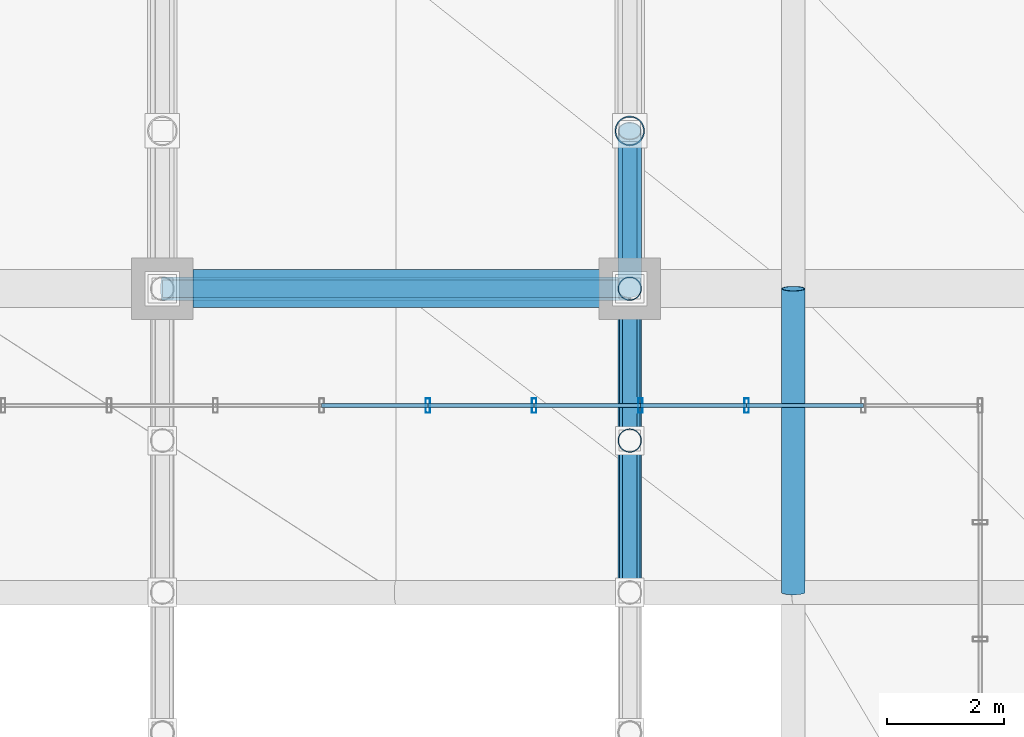
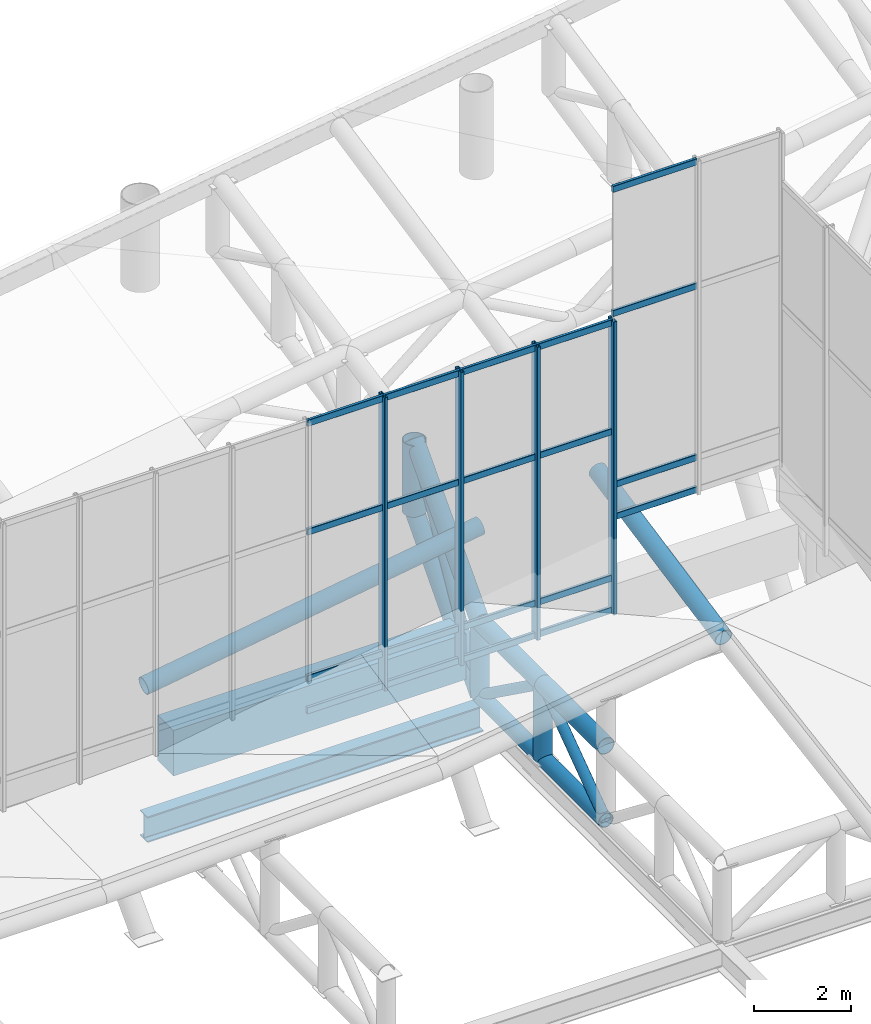
# One storey, part 92 of 137: 38 members, 2 beams, 2 elements without a shape of their own.
"""IFC4 building model written with IfcOpenShell, lengths in metres."""

from ifc_helpers import new_model, si_unit, direction, frame, origin, origin_2d, place, context, subcontext, project, spatial, rectangle, hollow_rectangle, hollow_circle, i_section, extrude, material, layer, layer_set, material_profile, profile_set, type_object, element, aggregate, save


model = new_model("IFC4")

# Units and contexts
model_context = context("Model", 3, precision=1e-05, world=origin(), true_north=direction((0.0, 1.0)))
body_context = subcontext(model_context, "Body", "Model", "MODEL_VIEW")
ifc_project = project(units=[si_unit("LENGTHUNIT", "METRE"), si_unit("AREAUNIT", "SQUARE_METRE"), si_unit("VOLUMEUNIT", "CUBIC_METRE"), si_unit("PLANEANGLEUNIT", "RADIAN"), si_unit("MASSUNIT", "GRAM", prefix="KILO")], contexts=[model_context])

# Site, building, storey
site_placement = place(None, origin())
site = spatial("IfcSite", under=ifc_project, at=site_placement, CompositionType="ELEMENT")
building_placement = place(site_placement, origin())
building = spatial("IfcBuilding", under=site, at=building_placement, Name="Khorjan Park Terminus", CompositionType="ELEMENT")
storey_placement = place(building_placement, frame((0.0, 0.0, 11.4)))
storey = spatial("IfcBuildingStorey", under=building, at=storey_placement, Name="L02", CompositionType="ELEMENT", Elevation=11.4)

# Members
ifc_material_1 = material(Name="Steel S355", Category="steel")
ifc_material_profile_1 = material_profile(ifc_material_1, hollow_circle(Radius=0.1222, WallThickness=0.0125, at=origin_2d()), Name="CHS 244.5x12.5")
ifc_profile_set_1 = profile_set([ifc_material_profile_1], Name="Steel S355")
member_type_1 = type_object("IfcMemberType", Name="MB-BR-245", PredefinedType="BRACE", material=ifc_profile_set_1)
for number, where, z_axis, x_axis, name in (
    (1, (128.0, 82.8, -1.92), (0.0, 0.811830357573, 0.583893372562), (-1.0, 0.0, 0.0), "Lower shell cantilever truss diagonal (11N)"),
    (2, (128.0, 85.4, -0.05), (0.0, 0.811830357573, -0.583893372562), (-1.0, 0.0, 0.0), "Lower shell cantilever truss diagonal (11N)"),
):
    element("IfcMember", number, at=place(storey_placement, frame(where, z_axis=z_axis, x_axis=x_axis)), inside=storey, type_object=member_type_1, Name=name, PredefinedType="BRACE", context=body_context, shape_type="SweptSolid", body=[
        extrude(hollow_circle(Radius=0.1222, WallThickness=0.0125, at=origin_2d()), origin(), (0.0, 0.0, 1.0), 3.2026),
    ])
ifc_material_profile_2 = material_profile(ifc_material_1, hollow_circle(Radius=0.1222, WallThickness=0.0125, at=origin_2d()), Name="CHS 244.5x12.5")
ifc_profile_set_2 = profile_set([ifc_material_profile_2], Name="Steel S355")
member_type_2 = type_object("IfcMemberType", Name="MB-BRE-245", PredefinedType="BRACE", material=ifc_profile_set_2)
member_1_placement = place(storey_placement, frame((128.0, 88.0, -1.92), z_axis=(0.0, 0.489695395281, 0.871893582865), x_axis=(-1.0, 0.0, 0.0)))
element("IfcMember", 3, at=member_1_placement, inside=storey, type_object=member_type_2, Name="Lower shell cantilever truss diagonal (11N)", PredefinedType="BRACE", context=body_context, shape_type="SweptSolid", body=[
    extrude(hollow_circle(Radius=0.1222, WallThickness=0.0125, at=origin_2d()), origin(), (0.0, 0.0, 1.0), 5.5136),
])
ifc_material_profile_3 = material_profile(ifc_material_1, hollow_circle(Radius=0.1778, WallThickness=0.016, at=origin_2d()), Name="CHS 355.6x16")
ifc_profile_set_3 = profile_set([ifc_material_profile_3], Name="Steel S355")
member_type_3 = type_object("IfcMemberType", Name="MB-CH-356", PredefinedType="CHORD", material=ifc_profile_set_3)
for number, where, z_axis, x_axis, name in (
    (4, (128.0, 82.8, -1.92), (0.0, 1.0, 0.0), (-1.0, 0.0, 0.0), "Lower shell cantilever truss bottom chord (11N)"),
    (5, (128.0, 85.4, -1.92), (0.0, 1.0, 0.0), (-1.0, 0.0, 0.0), "Lower shell cantilever truss bottom chord (11N)"),
):
    element("IfcMember", number, at=place(storey_placement, frame(where, z_axis=z_axis, x_axis=x_axis)), inside=storey, type_object=member_type_3, Name=name, PredefinedType="CHORD", context=body_context, shape_type="SweptSolid", body=[
        extrude(hollow_circle(Radius=0.1778, WallThickness=0.016, at=origin_2d()), origin(), (0.0, 0.0, 1.0), 2.6),
    ])
ifc_material_profile_4 = material_profile(ifc_material_1, hollow_circle(Radius=0.2032, WallThickness=0.016, at=origin_2d()), Name="CHS 406.4x16")
ifc_profile_set_4 = profile_set([ifc_material_profile_4], Name="Steel S355")
member_type_4 = type_object("IfcMemberType", Name="MB-CH-406", PredefinedType="CHORD", material=ifc_profile_set_4)
member_2_placement = place(storey_placement, frame((130.8, 82.8, 1.6975), z_axis=(0.0, 0.979804962844, 0.199955582033), x_axis=(-1.0, 0.0, 0.0)))
element("IfcMember", 6, at=member_2_placement, inside=storey, type_object=member_type_4, Name="Lower wrapping shell rim chord (147)", PredefinedType="CHORD", context=body_context, shape_type="SweptSolid", body=[
    extrude(hollow_circle(Radius=0.2032, WallThickness=0.016, at=origin_2d()), origin(), (0.0, 0.0, 1.0), 5.3072),
])
for number, where, z_axis, x_axis, name in (
    (7, (128.0, 82.8, -0.05), (0.0, 1.0, 0.0), (-1.0, 0.0, 0.0), "Lower shell cantilever truss top chord (11N)"),
    (8, (128.0, 85.4, -0.05), (0.0, 1.0, 0.0), (-1.0, 0.0, 0.0), "Lower shell cantilever truss top chord (11N)"),
):
    element("IfcMember", number, at=place(storey_placement, frame(where, z_axis=z_axis, x_axis=x_axis)), inside=storey, type_object=member_type_4, Name=name, PredefinedType="CHORD", context=body_context, shape_type="SweptSolid", body=[
        extrude(hollow_circle(Radius=0.2032, WallThickness=0.016, at=origin_2d()), origin(), (0.0, 0.0, 1.0), 2.6),
    ])
ifc_material_profile_5 = material_profile(ifc_material_1, hollow_circle(Radius=0.2032, WallThickness=0.016, at=origin_2d()), Name="CHS 406.4x16")
ifc_profile_set_5 = profile_set([ifc_material_profile_5], Name="Steel S355")
member_type_5 = type_object("IfcMemberType", Name="MB-CHE-406", PredefinedType="CHORD", material=ifc_profile_set_5)
member_3_placement = place(storey_placement, frame((120.0, 88.0, 1.1108), z_axis=(0.988324662192, 0.0, 0.152362600735), x_axis=(0.0, 1.0, 0.0)))
element("IfcMember", 9, at=member_3_placement, inside=storey, type_object=member_type_5, Name="Lower wrapping shell rim chord (116)", PredefinedType="CHORD", context=body_context, shape_type="SweptSolid", body=[
    extrude(hollow_circle(Radius=0.2032, WallThickness=0.016, at=origin_2d()), origin(), (0.0, 0.0, 1.0), 8.0945),
])
member_4_placement = place(storey_placement, frame((128.0, 88.0, -0.05), z_axis=(0.0, 0.676742076537, 0.736220185708), x_axis=(-1.0, 0.0, 0.0)))
element("IfcMember", 10, at=member_4_placement, inside=storey, type_object=member_type_5, Name="Lower shell cantilever truss top chord (11N)", PredefinedType="CHORD", context=body_context, shape_type="SweptSolid", body=[
    extrude(hollow_circle(Radius=0.2032, WallThickness=0.016, at=origin_2d()), origin(), (0.0, 0.0, 1.0), 3.9897),
])
member_5_placement = place(storey_placement, frame((128.0, 88.0, -1.92), z_axis=(0.0, 0.668066106511, 0.744101926708), x_axis=(-1.0, 0.0, 0.0)))
element("IfcMember", 11, at=member_5_placement, inside=storey, type_object=member_type_5, Name="Lower shell cantilever truss bottom chord (11N)", PredefinedType="CHORD", context=body_context, shape_type="SweptSolid", body=[
    extrude(hollow_circle(Radius=0.2032, WallThickness=0.016, at=origin_2d()), origin(), (0.0, 0.0, 1.0), 4.0415),
])
ifc_material_profile_6 = material_profile(ifc_material_1, hollow_circle(Radius=0.2032, WallThickness=0.016, at=origin_2d()), Name="CHS 406.4x16")
ifc_profile_set_6 = profile_set([ifc_material_profile_6], Name="Steel S355")
member_type_6 = type_object("IfcMemberType", Name="MB-ST-406", PredefinedType="STRUT", material=ifc_profile_set_6)
for number, where, z_axis, x_axis, name in (
    (12, (128.0, 85.4, -1.92), (0.0, 0.0, 1.0), (1.0, 0.0, 0.0), "Lower shell cantilever truss post (11N)"),
    (13, (128.0, 88.0, -1.92), (0.0, 0.0, 1.0), (1.0, 0.0, 0.0), "Lower shell cantilever truss post (11N)"),
):
    element("IfcMember", number, at=place(storey_placement, frame(where, z_axis=z_axis, x_axis=x_axis)), inside=storey, type_object=member_type_6, Name=name, PredefinedType="STRUT", context=body_context, shape_type="SweptSolid", body=[
        extrude(hollow_circle(Radius=0.2032, WallThickness=0.016, at=origin_2d()), origin(), (0.0, 0.0, 1.0), 1.87),
    ])
ifc_material_profile_7 = material_profile(ifc_material_1, hollow_circle(Radius=0.254, WallThickness=0.02, at=origin_2d()), Name="CHS 508x20")
ifc_profile_set_7 = profile_set([ifc_material_profile_7], Name="Steel S355")
member_type_7 = type_object("IfcMemberType", Name="MB-STE-508", PredefinedType="STRUT", material=ifc_profile_set_7)
member_6_placement = place(storey_placement, frame((128.0, 90.7, 1.0873), z_axis=(0.0, 0.0, 1.0), x_axis=(1.0, 0.0, 0.0)))
element("IfcMember", 14, at=member_6_placement, inside=storey, type_object=member_type_7, Name="Lower shell cantilever truss post (11N)", PredefinedType="STRUT", context=body_context, shape_type="SweptSolid", body=[
    extrude(hollow_circle(Radius=0.254, WallThickness=0.02, at=origin_2d()), origin(), (0.0, 0.0, 1.0), 1.8),
])

# Curtain wall, members
ifc_material_2 = material(Name="Anodized Bronze Aluminium", Category="aluminium")
ifc_layer = layer(ifc_material_2, 0.22)
ifc_layer_set = layer_set([ifc_layer], Name="Anodized Bronze Aluminium")
curtain_wall_type = type_object("IfcCurtainWallType", Name="CW-CONC-CLR", PredefinedType="NOTDEFINED", material=ifc_layer_set)
curtain_wall_1_placement = place(storey_placement, origin())
curtain_wall_1 = element("IfcCurtainWall", 15, at=curtain_wall_1_placement, inside=storey, type_object=curtain_wall_type, Name="Unitized curtain wall CW-CL (CW-V2-N-CLR-07)", PredefinedType="NOTDEFINED")
ifc_material_profile_8 = material_profile(ifc_material_2, hollow_rectangle(XDim=0.08, YDim=0.25, WallThickness=0.005, InnerFilletRadius=0.005, OuterFilletRadius=0.01, at=origin_2d()), Name="ALM 80x250x5")
ifc_profile_set_8 = profile_set([ifc_material_profile_8], Name="Anodized Bronze Aluminium")
member_type_8 = type_object("IfcMemberType", Name="ML-ALM-250", PredefinedType="MULLION", material=ifc_profile_set_8)
member_7_placement = place(storey_placement, frame((130.0, 86.0, 0.6813), z_axis=(0.0, 0.0, 1.0), x_axis=(-1.0, 0.0, 0.0)))
member_7 = element("IfcMember", 16, at=member_7_placement, type_object=member_type_8, Name="Curtain-wall mullion ML-25 (CW-V2-N-CLR-07-0)", PredefinedType="MULLION", context=body_context, shape_type="SweptSolid", body=[
    extrude(hollow_rectangle(XDim=0.08, YDim=0.25, WallThickness=0.005, InnerFilletRadius=0.005, OuterFilletRadius=0.01, at=origin_2d()), origin(), (0.0, 0.0, 1.0), 7.382),
])
member_8_placement = place(storey_placement, frame((128.1818, 86.0, 0.6813), z_axis=(0.0, 0.0, 1.0), x_axis=(-1.0, 0.0, 0.0)))
member_8 = element("IfcMember", 17, at=member_8_placement, type_object=member_type_8, Name="Curtain-wall mullion ML-25 (CW-V2-N-CLR-07-1)", PredefinedType="MULLION", context=body_context, shape_type="SweptSolid", body=[
    extrude(hollow_rectangle(XDim=0.08, YDim=0.25, WallThickness=0.005, InnerFilletRadius=0.005, OuterFilletRadius=0.01, at=origin_2d()), origin(), (0.0, 0.0, 1.0), 7.382),
])
member_9_placement = place(storey_placement, frame((126.3636, 86.0, 0.6813), z_axis=(0.0, 0.0, 1.0), x_axis=(-1.0, 0.0, 0.0)))
member_9 = element("IfcMember", 18, at=member_9_placement, type_object=member_type_8, Name="Curtain-wall mullion ML-25 (CW-V2-N-CLR-07-2)", PredefinedType="MULLION", context=body_context, shape_type="SweptSolid", body=[
    extrude(hollow_rectangle(XDim=0.08, YDim=0.25, WallThickness=0.005, InnerFilletRadius=0.005, OuterFilletRadius=0.01, at=origin_2d()), origin(), (0.0, 0.0, 1.0), 7.382),
])
member_10_placement = place(storey_placement, frame((124.5455, 86.0, 0.6813), z_axis=(0.0, 0.0, 1.0), x_axis=(-1.0, 0.0, 0.0)))
member_10 = element("IfcMember", 19, at=member_10_placement, type_object=member_type_8, Name="Curtain-wall mullion ML-25 (CW-V2-N-CLR-07-3)", PredefinedType="MULLION", context=body_context, shape_type="SweptSolid", body=[
    extrude(hollow_rectangle(XDim=0.08, YDim=0.25, WallThickness=0.005, InnerFilletRadius=0.005, OuterFilletRadius=0.01, at=origin_2d()), origin(), (0.0, 0.0, 1.0), 7.382),
])

# Beams
ifc_material_profile_9 = material_profile(ifc_material_1, i_section(OverallWidth=0.3, OverallDepth=0.65, WebThickness=0.016, FlangeThickness=0.031, FilletRadius=0.027, at=origin_2d()), Name="HEB 650")
ifc_profile_set_9 = profile_set([ifc_material_profile_9], Name="Steel S355")
beam_type_1 = type_object("IfcBeamType", Name="SP-HEB650E", PredefinedType="SPANDREL", material=ifc_profile_set_9)
beam_1_placement = place(storey_placement, frame((120.0, 88.0, -2.425), z_axis=(1.0, 0.0, 0.0), x_axis=(0.0, 1.0, 0.0)))
element("IfcBeam", 20, at=beam_1_placement, inside=storey, type_object=beam_type_1, Name="Lower shell truss support girder SP-E65 (X21)", PredefinedType="SPANDREL", context=body_context, shape_type="SweptSolid", body=[
    extrude(i_section(OverallWidth=0.3, OverallDepth=0.65, WebThickness=0.016, FlangeThickness=0.031, FilletRadius=0.027, at=origin_2d()), origin(), (0.0, 0.0, 1.0), 8.0),
])
ifc_material_3 = material(Name="Concrete C50/60", Category="concrete")
ifc_material_profile_10 = material_profile(ifc_material_3, rectangle(XDim=0.65, YDim=1.15, at=origin_2d()), Name="RC 650x1150")
ifc_profile_set_10 = profile_set([ifc_material_profile_10], Name="Concrete C50/60")
beam_type_2 = type_object("IfcBeamType", Name="SP-RC650x1150", PredefinedType="SPANDREL", material=ifc_profile_set_10)
beam_2_placement = place(storey_placement, frame((120.52, 88.0, -0.575), z_axis=(1.0, 0.0, 0.0), x_axis=(0.0, 1.0, 0.0)))
element("IfcBeam", 21, at=beam_2_placement, inside=storey, type_object=beam_type_2, Name="Concourse lower colonnade ring beam SP-11 (L02-56)", PredefinedType="SPANDREL", context=body_context, shape_type="SweptSolid", body=[
    extrude(rectangle(XDim=0.65, YDim=1.15, at=origin_2d()), origin(), (0.0, 0.0, 1.0), 6.96),
])

# Member
ifc_material_profile_11 = material_profile(ifc_material_2, hollow_rectangle(XDim=0.07, YDim=0.16, WallThickness=0.004, InnerFilletRadius=0.004, OuterFilletRadius=0.008, at=origin_2d()), Name="ALT 70x160x4")
ifc_profile_set_11 = profile_set([ifc_material_profile_11], Name="Anodized Bronze Aluminium")
member_type_9 = type_object("IfcMemberType", Name="TR-ALT-160", PredefinedType="USERDEFINED", material=ifc_profile_set_11)
member_11_placement = place(storey_placement, frame((130.0, 86.0, 0.7563), z_axis=(-1.0, 0.0, 0.0), x_axis=(0.0, -1.0, 0.0)))
member_11 = element("IfcMember", 22, at=member_11_placement, type_object=member_type_9, Name="Curtain-wall transom TR-16 (CW-V2-N-CLR-07-0-1)", ObjectType="TRANSOM", PredefinedType="USERDEFINED", context=body_context, shape_type="SweptSolid", body=[
    extrude(hollow_rectangle(XDim=0.07, YDim=0.16, WallThickness=0.004, InnerFilletRadius=0.004, OuterFilletRadius=0.008, at=origin_2d()), origin(), (0.0, 0.0, 1.0), 1.8182),
])

member_12_placement = place(storey_placement, frame((130.0, 86.0, 1.5663), z_axis=(-1.0, 0.0, 0.0), x_axis=(0.0, -1.0, 0.0)))
member_12 = element("IfcMember", 23, at=member_12_placement, type_object=member_type_9, Name="Curtain-wall transom TR-16 (CW-V2-N-CLR-07-0-2)", ObjectType="TRANSOM", PredefinedType="USERDEFINED", context=body_context, shape_type="SweptSolid", body=[
    extrude(hollow_rectangle(XDim=0.07, YDim=0.16, WallThickness=0.004, InnerFilletRadius=0.004, OuterFilletRadius=0.008, at=origin_2d()), origin(), (0.0, 0.0, 1.0), 1.8182),
])

member_13_placement = place(storey_placement, frame((130.0, 86.0, 5.2497), z_axis=(-1.0, 0.0, 0.0), x_axis=(0.0, -1.0, 0.0)))
member_13 = element("IfcMember", 24, at=member_13_placement, type_object=member_type_9, Name="Curtain-wall transom TR-16 (CW-V2-N-CLR-07-0-3)", ObjectType="TRANSOM", PredefinedType="USERDEFINED", context=body_context, shape_type="SweptSolid", body=[
    extrude(hollow_rectangle(XDim=0.07, YDim=0.16, WallThickness=0.004, InnerFilletRadius=0.004, OuterFilletRadius=0.008, at=origin_2d()), origin(), (0.0, 0.0, 1.0), 1.8182),
])

member_14_placement = place(storey_placement, frame((130.0, 86.0, 7.9883), z_axis=(-1.0, 0.0, 0.0), x_axis=(0.0, -1.0, 0.0)))
member_14 = element("IfcMember", 25, at=member_14_placement, type_object=member_type_9, Name="Curtain-wall transom TR-16 (CW-V2-N-CLR-07-0-4)", ObjectType="TRANSOM", PredefinedType="USERDEFINED", context=body_context, shape_type="SweptSolid", body=[
    extrude(hollow_rectangle(XDim=0.07, YDim=0.16, WallThickness=0.004, InnerFilletRadius=0.004, OuterFilletRadius=0.008, at=origin_2d()), origin(), (0.0, 0.0, 1.0), 1.8182),
])

member_15_placement = place(storey_placement, frame((128.1818, 86.0, 0.7563), z_axis=(-1.0, 0.0, 0.0), x_axis=(0.0, -1.0, 0.0)))
member_15 = element("IfcMember", 26, at=member_15_placement, type_object=member_type_9, Name="Curtain-wall transom TR-16 (CW-V2-N-CLR-07-1-1)", ObjectType="TRANSOM", PredefinedType="USERDEFINED", context=body_context, shape_type="SweptSolid", body=[
    extrude(hollow_rectangle(XDim=0.07, YDim=0.16, WallThickness=0.004, InnerFilletRadius=0.004, OuterFilletRadius=0.008, at=origin_2d()), origin(), (0.0, 0.0, 1.0), 1.8182),
])

member_16_placement = place(storey_placement, frame((128.1818, 86.0, 1.5663), z_axis=(-1.0, 0.0, 0.0), x_axis=(0.0, -1.0, 0.0)))
member_16 = element("IfcMember", 27, at=member_16_placement, type_object=member_type_9, Name="Curtain-wall transom TR-16 (CW-V2-N-CLR-07-1-2)", ObjectType="TRANSOM", PredefinedType="USERDEFINED", context=body_context, shape_type="SweptSolid", body=[
    extrude(hollow_rectangle(XDim=0.07, YDim=0.16, WallThickness=0.004, InnerFilletRadius=0.004, OuterFilletRadius=0.008, at=origin_2d()), origin(), (0.0, 0.0, 1.0), 1.8182),
])

member_17_placement = place(storey_placement, frame((128.1818, 86.0, 5.2497), z_axis=(-1.0, 0.0, 0.0), x_axis=(0.0, -1.0, 0.0)))
member_17 = element("IfcMember", 28, at=member_17_placement, type_object=member_type_9, Name="Curtain-wall transom TR-16 (CW-V2-N-CLR-07-1-3)", ObjectType="TRANSOM", PredefinedType="USERDEFINED", context=body_context, shape_type="SweptSolid", body=[
    extrude(hollow_rectangle(XDim=0.07, YDim=0.16, WallThickness=0.004, InnerFilletRadius=0.004, OuterFilletRadius=0.008, at=origin_2d()), origin(), (0.0, 0.0, 1.0), 1.8182),
])

member_18_placement = place(storey_placement, frame((128.1818, 86.0, 7.9883), z_axis=(-1.0, 0.0, 0.0), x_axis=(0.0, -1.0, 0.0)))
member_18 = element("IfcMember", 29, at=member_18_placement, type_object=member_type_9, Name="Curtain-wall transom TR-16 (CW-V2-N-CLR-07-1-4)", ObjectType="TRANSOM", PredefinedType="USERDEFINED", context=body_context, shape_type="SweptSolid", body=[
    extrude(hollow_rectangle(XDim=0.07, YDim=0.16, WallThickness=0.004, InnerFilletRadius=0.004, OuterFilletRadius=0.008, at=origin_2d()), origin(), (0.0, 0.0, 1.0), 1.8182),
])

member_19_placement = place(storey_placement, frame((126.3636, 86.0, 0.7563), z_axis=(-1.0, 0.0, 0.0), x_axis=(0.0, -1.0, 0.0)))
member_19 = element("IfcMember", 30, at=member_19_placement, type_object=member_type_9, Name="Curtain-wall transom TR-16 (CW-V2-N-CLR-07-2-1)", ObjectType="TRANSOM", PredefinedType="USERDEFINED", context=body_context, shape_type="SweptSolid", body=[
    extrude(hollow_rectangle(XDim=0.07, YDim=0.16, WallThickness=0.004, InnerFilletRadius=0.004, OuterFilletRadius=0.008, at=origin_2d()), origin(), (0.0, 0.0, 1.0), 1.8181),
])

member_20_placement = place(storey_placement, frame((126.3636, 86.0, 1.5663), z_axis=(-1.0, 0.0, 0.0), x_axis=(0.0, -1.0, 0.0)))
member_20 = element("IfcMember", 31, at=member_20_placement, type_object=member_type_9, Name="Curtain-wall transom TR-16 (CW-V2-N-CLR-07-2-2)", ObjectType="TRANSOM", PredefinedType="USERDEFINED", context=body_context, shape_type="SweptSolid", body=[
    extrude(hollow_rectangle(XDim=0.07, YDim=0.16, WallThickness=0.004, InnerFilletRadius=0.004, OuterFilletRadius=0.008, at=origin_2d()), origin(), (0.0, 0.0, 1.0), 1.8181),
])

member_21_placement = place(storey_placement, frame((126.3636, 86.0, 5.2497), z_axis=(-1.0, 0.0, 0.0), x_axis=(0.0, -1.0, 0.0)))
member_21 = element("IfcMember", 32, at=member_21_placement, type_object=member_type_9, Name="Curtain-wall transom TR-16 (CW-V2-N-CLR-07-2-3)", ObjectType="TRANSOM", PredefinedType="USERDEFINED", context=body_context, shape_type="SweptSolid", body=[
    extrude(hollow_rectangle(XDim=0.07, YDim=0.16, WallThickness=0.004, InnerFilletRadius=0.004, OuterFilletRadius=0.008, at=origin_2d()), origin(), (0.0, 0.0, 1.0), 1.8181),
])

member_22_placement = place(storey_placement, frame((126.3636, 86.0, 7.9883), z_axis=(-1.0, 0.0, 0.0), x_axis=(0.0, -1.0, 0.0)))
member_22 = element("IfcMember", 33, at=member_22_placement, type_object=member_type_9, Name="Curtain-wall transom TR-16 (CW-V2-N-CLR-07-2-4)", ObjectType="TRANSOM", PredefinedType="USERDEFINED", context=body_context, shape_type="SweptSolid", body=[
    extrude(hollow_rectangle(XDim=0.07, YDim=0.16, WallThickness=0.004, InnerFilletRadius=0.004, OuterFilletRadius=0.008, at=origin_2d()), origin(), (0.0, 0.0, 1.0), 1.8181),
])

member_23_placement = place(storey_placement, frame((124.5455, 86.0, 0.7563), z_axis=(-1.0, 0.0, 0.0), x_axis=(0.0, -1.0, 0.0)))
member_23 = element("IfcMember", 34, at=member_23_placement, type_object=member_type_9, Name="Curtain-wall transom TR-16 (CW-V2-N-CLR-07-3-1)", ObjectType="TRANSOM", PredefinedType="USERDEFINED", context=body_context, shape_type="SweptSolid", body=[
    extrude(hollow_rectangle(XDim=0.07, YDim=0.16, WallThickness=0.004, InnerFilletRadius=0.004, OuterFilletRadius=0.008, at=origin_2d()), origin(), (0.0, 0.0, 1.0), 1.8182),
])

member_24_placement = place(storey_placement, frame((124.5455, 86.0, 1.5663), z_axis=(-1.0, 0.0, 0.0), x_axis=(0.0, -1.0, 0.0)))
member_24 = element("IfcMember", 35, at=member_24_placement, type_object=member_type_9, Name="Curtain-wall transom TR-16 (CW-V2-N-CLR-07-3-2)", ObjectType="TRANSOM", PredefinedType="USERDEFINED", context=body_context, shape_type="SweptSolid", body=[
    extrude(hollow_rectangle(XDim=0.07, YDim=0.16, WallThickness=0.004, InnerFilletRadius=0.004, OuterFilletRadius=0.008, at=origin_2d()), origin(), (0.0, 0.0, 1.0), 1.8182),
])

member_25_placement = place(storey_placement, frame((124.5455, 86.0, 5.2497), z_axis=(-1.0, 0.0, 0.0), x_axis=(0.0, -1.0, 0.0)))
member_25 = element("IfcMember", 36, at=member_25_placement, type_object=member_type_9, Name="Curtain-wall transom TR-16 (CW-V2-N-CLR-07-3-3)", ObjectType="TRANSOM", PredefinedType="USERDEFINED", context=body_context, shape_type="SweptSolid", body=[
    extrude(hollow_rectangle(XDim=0.07, YDim=0.16, WallThickness=0.004, InnerFilletRadius=0.004, OuterFilletRadius=0.008, at=origin_2d()), origin(), (0.0, 0.0, 1.0), 1.8182),
])

member_26_placement = place(storey_placement, frame((124.5455, 86.0, 7.9883), z_axis=(-1.0, 0.0, 0.0), x_axis=(0.0, -1.0, 0.0)))
member_26 = element("IfcMember", 37, at=member_26_placement, type_object=member_type_9, Name="Curtain-wall transom TR-16 (CW-V2-N-CLR-07-3-4)", ObjectType="TRANSOM", PredefinedType="USERDEFINED", context=body_context, shape_type="SweptSolid", body=[
    extrude(hollow_rectangle(XDim=0.07, YDim=0.16, WallThickness=0.004, InnerFilletRadius=0.004, OuterFilletRadius=0.008, at=origin_2d()), origin(), (0.0, 0.0, 1.0), 1.8182),
])

aggregate(curtain_wall_1, [member_7, member_8, member_9, member_10, member_11, member_12, member_13, member_14, member_15, member_16, member_17, member_18, member_19, member_20, member_21, member_22, member_23, member_24, member_25, member_26])

# Curtain wall, members
curtain_wall_2_placement = place(storey_placement, origin())
curtain_wall_2 = element("IfcCurtainWall", 38, at=curtain_wall_2_placement, inside=storey, type_object=curtain_wall_type, Name="Unitized curtain wall CW-CL (CW-V2-N-CLR-08)", PredefinedType="NOTDEFINED")
member_27_placement = place(storey_placement, frame((132.0, 86.0, 3.0809), z_axis=(-1.0, 0.0, 0.0), x_axis=(0.0, -1.0, 0.0)))
member_27 = element("IfcMember", 39, at=member_27_placement, type_object=member_type_9, Name="Curtain-wall transom TR-16 (CW-V2-N-CLR-08-1-1)", ObjectType="TRANSOM", PredefinedType="USERDEFINED", context=body_context, shape_type="SweptSolid", body=[
    extrude(hollow_rectangle(XDim=0.07, YDim=0.16, WallThickness=0.004, InnerFilletRadius=0.004, OuterFilletRadius=0.008, at=origin_2d()), origin(), (0.0, 0.0, 1.0), 2.0),
])
member_28_placement = place(storey_placement, frame((132.0, 86.0, 3.8909), z_axis=(-1.0, 0.0, 0.0), x_axis=(0.0, -1.0, 0.0)))
member_28 = element("IfcMember", 40, at=member_28_placement, type_object=member_type_9, Name="Curtain-wall transom TR-16 (CW-V2-N-CLR-08-1-2)", ObjectType="TRANSOM", PredefinedType="USERDEFINED", context=body_context, shape_type="SweptSolid", body=[
    extrude(hollow_rectangle(XDim=0.07, YDim=0.16, WallThickness=0.004, InnerFilletRadius=0.004, OuterFilletRadius=0.008, at=origin_2d()), origin(), (0.0, 0.0, 1.0), 2.0),
])
member_29_placement = place(storey_placement, frame((132.0, 86.0, 8.2062), z_axis=(-1.0, 0.0, 0.0), x_axis=(0.0, -1.0, 0.0)))
member_29 = element("IfcMember", 41, at=member_29_placement, type_object=member_type_9, Name="Curtain-wall transom TR-16 (CW-V2-N-CLR-08-1-3)", ObjectType="TRANSOM", PredefinedType="USERDEFINED", context=body_context, shape_type="SweptSolid", body=[
    extrude(hollow_rectangle(XDim=0.07, YDim=0.16, WallThickness=0.004, InnerFilletRadius=0.004, OuterFilletRadius=0.008, at=origin_2d()), origin(), (0.0, 0.0, 1.0), 2.0),
])
member_30_placement = place(storey_placement, frame((132.0, 86.0, 11.332), z_axis=(-1.0, 0.0, 0.0), x_axis=(0.0, -1.0, 0.0)))
member_30 = element("IfcMember", 42, at=member_30_placement, type_object=member_type_9, Name="Curtain-wall transom TR-16 (CW-V2-N-CLR-08-1-4)", ObjectType="TRANSOM", PredefinedType="USERDEFINED", context=body_context, shape_type="SweptSolid", body=[
    extrude(hollow_rectangle(XDim=0.07, YDim=0.16, WallThickness=0.004, InnerFilletRadius=0.004, OuterFilletRadius=0.008, at=origin_2d()), origin(), (0.0, 0.0, 1.0), 2.0),
])
aggregate(curtain_wall_2, [member_27, member_28, member_29, member_30])

save(model, "model.ifc")
